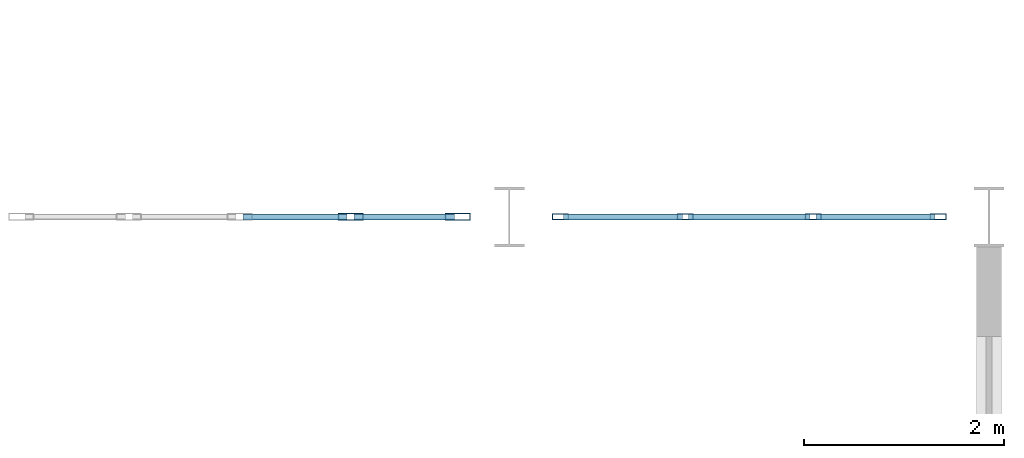
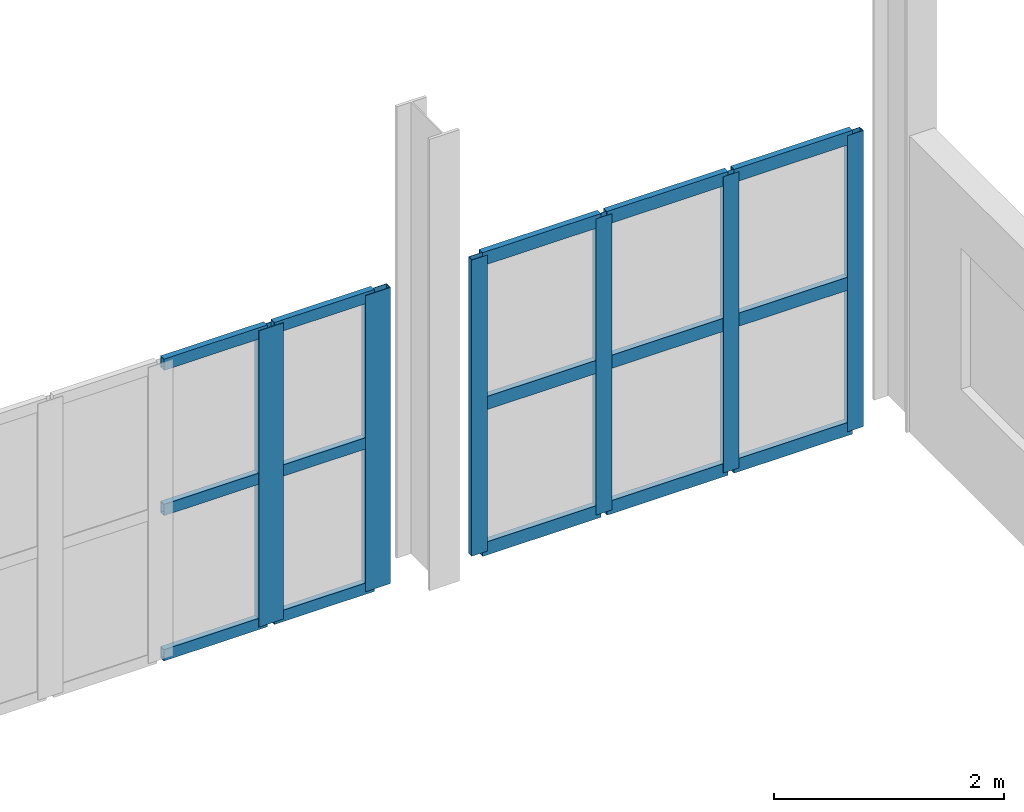
# One storey, part 27 of 41: 21 members, 2 elements without a shape of their own.
"""IFC4 building model written with IfcOpenShell, lengths in metres."""

from ifc_helpers import new_model, si_unit, direction, frame, origin, origin_2d, place, context, subcontext, project, spatial, hollow_rectangle, extrude, material, layer, layer_set, material_profile, profile_set, type_object, element, aggregate, save


model = new_model("IFC4")

# Units and contexts
model_context = context("Model", 3, precision=1e-05, world=origin(), true_north=direction((0.0, 1.0)))
body_context = subcontext(model_context, "Body", "Model", "MODEL_VIEW")
ifc_project = project(units=[si_unit("LENGTHUNIT", "METRE"), si_unit("AREAUNIT", "SQUARE_METRE"), si_unit("VOLUMEUNIT", "CUBIC_METRE"), si_unit("PLANEANGLEUNIT", "RADIAN"), si_unit("MASSUNIT", "GRAM", prefix="KILO")], contexts=[model_context])

# Site, building, storey
site_placement = place(None, origin())
site = spatial("IfcSite", under=ifc_project, at=site_placement, CompositionType="ELEMENT")
building_placement = place(site_placement, origin())
building = spatial("IfcBuilding", under=site, at=building_placement, Name="Solvadek Multi-Sports Hall", CompositionType="ELEMENT")
storey_placement = place(building_placement, frame((0.0, 0.0, 14.39990234375)))
storey = spatial("IfcBuildingStorey", under=building, at=storey_placement, Name="L03", CompositionType="ELEMENT", Elevation=14.39990234375)

# Curtain wall, members
ifc_material = material(Name="Anodised aluminium", Category="aluminium")
ifc_layer_1 = layer(ifc_material, 0.159912109375, Name="Anodised aluminium")
ifc_layer_set_1 = layer_set([ifc_layer_1], Name="Anodised aluminium")
curtain_wall_type_1 = type_object("IfcCurtainWallType", Name="ENV-CW-384X315", PredefinedType="USERDEFINED", material=ifc_layer_set_1)
curtain_wall_1_placement = place(storey_placement, origin())
curtain_wall_1 = element("IfcCurtainWall", 1, at=curtain_wall_1_placement, inside=storey, type_object=curtain_wall_type_1, Name="L03 Perimeter Bay Curtain Wall #143", ObjectType="CURTAIN WALL", PredefinedType="USERDEFINED")
ifc_material_profile_1 = material_profile(ifc_material, hollow_rectangle(XDim=0.06005859375, YDim=0.159912109375, WallThickness=0.00390625, at=origin_2d()), Name="ALU-M 160x60x4")
ifc_profile_set_1 = profile_set([ifc_material_profile_1], Name="Anodised aluminium")
member_type_1 = type_object("IfcMemberType", Name="ENV-CWM-01", PredefinedType="MULLION", material=ifc_profile_set_1)
member_1_placement = place(storey_placement, frame((157.110107421875, 70.800048828125, 0.0), z_axis=(0.0, 0.0, 1.0), x_axis=(0.0, 1.0, 0.0)))
member_1 = element("IfcMember", 2, at=member_1_placement, type_object=member_type_1, Name="CW-51 mullion 1", PredefinedType="MULLION", context=body_context, shape_type="SweptSolid", body=[
    extrude(hollow_rectangle(XDim=0.06005859375, YDim=0.159912109375, WallThickness=0.00390625, at=origin_2d()), origin(), (0.0, 0.0, 1.0), 3.150146484375),
])
member_2_placement = place(storey_placement, frame((158.360107421875, 70.800048828125, 0.0), z_axis=(0.0, 0.0, 1.0), x_axis=(0.0, 1.0, 0.0)))
member_2 = element("IfcMember", 3, at=member_2_placement, type_object=member_type_1, Name="CW-51 mullion 2", PredefinedType="MULLION", context=body_context, shape_type="SweptSolid", body=[
    extrude(hollow_rectangle(XDim=0.06005859375, YDim=0.159912109375, WallThickness=0.00390625, at=origin_2d()), origin(), (0.0, 0.0, 1.0), 3.150146484375),
])
member_3_placement = place(storey_placement, frame((159.639892578125, 70.800048828125, 0.0), z_axis=(0.0, 0.0, 1.0), x_axis=(0.0, 1.0, 0.0)))
member_3 = element("IfcMember", 4, at=member_3_placement, type_object=member_type_1, Name="CW-51 mullion 3", PredefinedType="MULLION", context=body_context, shape_type="SweptSolid", body=[
    extrude(hollow_rectangle(XDim=0.06005859375, YDim=0.159912109375, WallThickness=0.00390625, at=origin_2d()), origin(), (0.0, 0.0, 1.0), 3.150146484375),
])
member_4_placement = place(storey_placement, frame((160.889892578125, 70.800048828125, 0.0), z_axis=(0.0, 0.0, 1.0), x_axis=(0.0, 1.0, 0.0)))
member_4 = element("IfcMember", 5, at=member_4_placement, type_object=member_type_1, Name="CW-51 mullion 4", PredefinedType="MULLION", context=body_context, shape_type="SweptSolid", body=[
    extrude(hollow_rectangle(XDim=0.06005859375, YDim=0.159912109375, WallThickness=0.00390625, at=origin_2d()), origin(), (0.0, 0.0, 1.0), 3.150146484375),
])

ifc_layer_2 = layer(ifc_material, 0.159912109375, Name="Anodised aluminium")
ifc_layer_set_2 = layer_set([ifc_layer_2], Name="Anodised aluminium")
curtain_wall_type_2 = type_object("IfcCurtainWallType", Name="ENV-CW-444X315", PredefinedType="USERDEFINED", material=ifc_layer_set_2)
curtain_wall_2_placement = place(storey_placement, origin())
curtain_wall_2 = element("IfcCurtainWall", 6, at=curtain_wall_2_placement, inside=storey, type_object=curtain_wall_type_2, Name="L03 Perimeter Bay Curtain Wall #139", ObjectType="CURTAIN WALL", PredefinedType="USERDEFINED")
ifc_material_profile_2 = material_profile(ifc_material, hollow_rectangle(XDim=0.070068359375, YDim=0.25, WallThickness=0.0048828125, at=origin_2d()), Name="ALU-M 250x70x5")
ifc_profile_set_2 = profile_set([ifc_material_profile_2], Name="Anodised aluminium")
member_type_2 = type_object("IfcMemberType", Name="ENV-CWM-05", PredefinedType="MULLION", material=ifc_profile_set_2)
member_5_placement = place(storey_placement, frame((155.010009765625, 70.800048828125, 0.0), z_axis=(0.0, 0.0, 1.0), x_axis=(0.0, 1.0, 0.0)))
member_5 = element("IfcMember", 7, at=member_5_placement, type_object=member_type_2, Name="CW-47 mullion 4", PredefinedType="MULLION", context=body_context, shape_type="SweptSolid", body=[
    extrude(hollow_rectangle(XDim=0.070068359375, YDim=0.25, WallThickness=0.0048828125, at=origin_2d()), origin(), (0.0, 0.0, 1.0), 3.150146484375),
])
member_6_placement = place(storey_placement, frame((156.0849609375, 70.800048828125, 0.0), z_axis=(0.0, 0.0, 1.0), x_axis=(0.0, 1.0, 0.0)))
member_6 = element("IfcMember", 8, at=member_6_placement, type_object=member_type_2, Name="CW-47 mullion 5", PredefinedType="MULLION", context=body_context, shape_type="SweptSolid", body=[
    extrude(hollow_rectangle(XDim=0.070068359375, YDim=0.25, WallThickness=0.0048828125, at=origin_2d()), origin(), (0.0, 0.0, 1.0), 3.150146484375),
])
ifc_material_profile_3 = material_profile(ifc_material, hollow_rectangle(XDim=0.06005859375, YDim=0.1201171875, WallThickness=0.00390625, at=origin_2d()), Name="ALU-T 120x60x4")
ifc_profile_set_3 = profile_set([ifc_material_profile_3], Name="Anodised aluminium")
member_type_3 = type_object("IfcMemberType", Name="ENV-CWT-01", PredefinedType="USERDEFINED", material=ifc_profile_set_3)
member_7_placement = place(storey_placement, frame((153.93505859375, 70.800048828125, 0.030029296875), z_axis=(1.0, 0.0, 0.0), x_axis=(0.0, 1.0, 0.0)))
member_7 = element("IfcMember", 9, at=member_7_placement, type_object=member_type_3, Name="CW-47 transom 3.1", ObjectType="TRANSOM", PredefinedType="USERDEFINED", context=body_context, shape_type="SweptSolid", body=[
    extrude(hollow_rectangle(XDim=0.06005859375, YDim=0.1201171875, WallThickness=0.00390625, at=origin_2d()), origin(), (0.0, 0.0, 1.0), 1.0400390625),
])
member_8_placement = place(storey_placement, frame((153.93505859375, 70.800048828125, 1.5751953125), z_axis=(1.0, 0.0, 0.0), x_axis=(0.0, 1.0, 0.0)))
member_8 = element("IfcMember", 10, at=member_8_placement, type_object=member_type_3, Name="CW-47 transom 3.2", ObjectType="TRANSOM", PredefinedType="USERDEFINED", context=body_context, shape_type="SweptSolid", body=[
    extrude(hollow_rectangle(XDim=0.06005859375, YDim=0.1201171875, WallThickness=0.00390625, at=origin_2d()), origin(), (0.0, 0.0, 1.0), 1.0400390625),
])
member_9_placement = place(storey_placement, frame((153.93505859375, 70.800048828125, 3.1201171875), z_axis=(1.0, 0.0, 0.0), x_axis=(0.0, 1.0, 0.0)))
member_9 = element("IfcMember", 11, at=member_9_placement, type_object=member_type_3, Name="CW-47 transom 3.3", ObjectType="TRANSOM", PredefinedType="USERDEFINED", context=body_context, shape_type="SweptSolid", body=[
    extrude(hollow_rectangle(XDim=0.06005859375, YDim=0.1201171875, WallThickness=0.00390625, at=origin_2d()), origin(), (0.0, 0.0, 1.0), 1.0400390625),
])
member_10_placement = place(storey_placement, frame((155.044921875, 70.800048828125, 0.030029296875), z_axis=(1.0, 0.0, 0.0), x_axis=(0.0, 1.0, 0.0)))
member_10 = element("IfcMember", 12, at=member_10_placement, type_object=member_type_3, Name="CW-47 transom 4.1", ObjectType="TRANSOM", PredefinedType="USERDEFINED", context=body_context, shape_type="SweptSolid", body=[
    extrude(hollow_rectangle(XDim=0.06005859375, YDim=0.1201171875, WallThickness=0.00390625, at=origin_2d()), origin(), (0.0, 0.0, 1.0), 1.005126953125),
])
member_11_placement = place(storey_placement, frame((155.044921875, 70.800048828125, 1.5751953125), z_axis=(1.0, 0.0, 0.0), x_axis=(0.0, 1.0, 0.0)))
member_11 = element("IfcMember", 13, at=member_11_placement, type_object=member_type_3, Name="CW-47 transom 4.2", ObjectType="TRANSOM", PredefinedType="USERDEFINED", context=body_context, shape_type="SweptSolid", body=[
    extrude(hollow_rectangle(XDim=0.06005859375, YDim=0.1201171875, WallThickness=0.00390625, at=origin_2d()), origin(), (0.0, 0.0, 1.0), 1.005126953125),
])
member_12_placement = place(storey_placement, frame((155.044921875, 70.800048828125, 3.1201171875), z_axis=(1.0, 0.0, 0.0), x_axis=(0.0, 1.0, 0.0)))
member_12 = element("IfcMember", 14, at=member_12_placement, type_object=member_type_3, Name="CW-47 transom 4.3", ObjectType="TRANSOM", PredefinedType="USERDEFINED", context=body_context, shape_type="SweptSolid", body=[
    extrude(hollow_rectangle(XDim=0.06005859375, YDim=0.1201171875, WallThickness=0.00390625, at=origin_2d()), origin(), (0.0, 0.0, 1.0), 1.005126953125),
])
aggregate(curtain_wall_2, [member_5, member_6, member_7, member_8, member_9, member_10, member_11, member_12])

# Member
ifc_material_profile_4 = material_profile(ifc_material, hollow_rectangle(XDim=0.06005859375, YDim=0.139892578125, WallThickness=0.00390625, at=origin_2d()), Name="ALU-T 140x60x4")
ifc_profile_set_4 = profile_set([ifc_material_profile_4], Name="Anodised aluminium")
member_type_4 = type_object("IfcMemberType", Name="ENV-CWT-02", PredefinedType="USERDEFINED", material=ifc_profile_set_4)
member_13_placement = place(storey_placement, frame((157.139892578125, 70.800048828125, 0.030029296875), z_axis=(1.0, 0.0, 0.0), x_axis=(0.0, 1.0, 0.0)))
member_13 = element("IfcMember", 15, at=member_13_placement, type_object=member_type_4, Name="CW-51 transom 1.1", ObjectType="TRANSOM", PredefinedType="USERDEFINED", context=body_context, shape_type="SweptSolid", body=[
    extrude(hollow_rectangle(XDim=0.06005859375, YDim=0.139892578125, WallThickness=0.00390625, at=origin_2d()), origin(), (0.0, 0.0, 1.0), 1.190185546875),
])

member_14_placement = place(storey_placement, frame((157.139892578125, 70.800048828125, 1.5751953125), z_axis=(1.0, 0.0, 0.0), x_axis=(0.0, 1.0, 0.0)))
member_14 = element("IfcMember", 16, at=member_14_placement, type_object=member_type_4, Name="CW-51 transom 1.2", ObjectType="TRANSOM", PredefinedType="USERDEFINED", context=body_context, shape_type="SweptSolid", body=[
    extrude(hollow_rectangle(XDim=0.06005859375, YDim=0.139892578125, WallThickness=0.00390625, at=origin_2d()), origin(), (0.0, 0.0, 1.0), 1.190185546875),
])

member_15_placement = place(storey_placement, frame((157.139892578125, 70.800048828125, 3.1201171875), z_axis=(1.0, 0.0, 0.0), x_axis=(0.0, 1.0, 0.0)))
member_15 = element("IfcMember", 17, at=member_15_placement, type_object=member_type_4, Name="CW-51 transom 1.3", ObjectType="TRANSOM", PredefinedType="USERDEFINED", context=body_context, shape_type="SweptSolid", body=[
    extrude(hollow_rectangle(XDim=0.06005859375, YDim=0.139892578125, WallThickness=0.00390625, at=origin_2d()), origin(), (0.0, 0.0, 1.0), 1.190185546875),
])

member_16_placement = place(storey_placement, frame((158.389892578125, 70.800048828125, 0.030029296875), z_axis=(1.0, 0.0, 0.0), x_axis=(0.0, 1.0, 0.0)))
member_16 = element("IfcMember", 18, at=member_16_placement, type_object=member_type_4, Name="CW-51 transom 2.1", ObjectType="TRANSOM", PredefinedType="USERDEFINED", context=body_context, shape_type="SweptSolid", body=[
    extrude(hollow_rectangle(XDim=0.06005859375, YDim=0.139892578125, WallThickness=0.00390625, at=origin_2d()), origin(), (0.0, 0.0, 1.0), 1.22021484375),
])

member_17_placement = place(storey_placement, frame((158.389892578125, 70.800048828125, 1.5751953125), z_axis=(1.0, 0.0, 0.0), x_axis=(0.0, 1.0, 0.0)))
member_17 = element("IfcMember", 19, at=member_17_placement, type_object=member_type_4, Name="CW-51 transom 2.2", ObjectType="TRANSOM", PredefinedType="USERDEFINED", context=body_context, shape_type="SweptSolid", body=[
    extrude(hollow_rectangle(XDim=0.06005859375, YDim=0.139892578125, WallThickness=0.00390625, at=origin_2d()), origin(), (0.0, 0.0, 1.0), 1.22021484375),
])

member_18_placement = place(storey_placement, frame((158.389892578125, 70.800048828125, 3.1201171875), z_axis=(1.0, 0.0, 0.0), x_axis=(0.0, 1.0, 0.0)))
member_18 = element("IfcMember", 20, at=member_18_placement, type_object=member_type_4, Name="CW-51 transom 2.3", ObjectType="TRANSOM", PredefinedType="USERDEFINED", context=body_context, shape_type="SweptSolid", body=[
    extrude(hollow_rectangle(XDim=0.06005859375, YDim=0.139892578125, WallThickness=0.00390625, at=origin_2d()), origin(), (0.0, 0.0, 1.0), 1.22021484375),
])

member_19_placement = place(storey_placement, frame((159.669921875, 70.800048828125, 0.030029296875), z_axis=(1.0, 0.0, 0.0), x_axis=(0.0, 1.0, 0.0)))
member_19 = element("IfcMember", 21, at=member_19_placement, type_object=member_type_4, Name="CW-51 transom 3.1", ObjectType="TRANSOM", PredefinedType="USERDEFINED", context=body_context, shape_type="SweptSolid", body=[
    extrude(hollow_rectangle(XDim=0.06005859375, YDim=0.139892578125, WallThickness=0.00390625, at=origin_2d()), origin(), (0.0, 0.0, 1.0), 1.190185546875),
])

member_20_placement = place(storey_placement, frame((159.669921875, 70.800048828125, 1.5751953125), z_axis=(1.0, 0.0, 0.0), x_axis=(0.0, 1.0, 0.0)))
member_20 = element("IfcMember", 22, at=member_20_placement, type_object=member_type_4, Name="CW-51 transom 3.2", ObjectType="TRANSOM", PredefinedType="USERDEFINED", context=body_context, shape_type="SweptSolid", body=[
    extrude(hollow_rectangle(XDim=0.06005859375, YDim=0.139892578125, WallThickness=0.00390625, at=origin_2d()), origin(), (0.0, 0.0, 1.0), 1.190185546875),
])

member_21_placement = place(storey_placement, frame((159.669921875, 70.800048828125, 3.1201171875), z_axis=(1.0, 0.0, 0.0), x_axis=(0.0, 1.0, 0.0)))
member_21 = element("IfcMember", 23, at=member_21_placement, type_object=member_type_4, Name="CW-51 transom 3.3", ObjectType="TRANSOM", PredefinedType="USERDEFINED", context=body_context, shape_type="SweptSolid", body=[
    extrude(hollow_rectangle(XDim=0.06005859375, YDim=0.139892578125, WallThickness=0.00390625, at=origin_2d()), origin(), (0.0, 0.0, 1.0), 1.190185546875),
])

aggregate(curtain_wall_1, [member_1, member_2, member_3, member_4, member_13, member_14, member_15, member_16, member_17, member_18, member_19, member_20, member_21])

save(model, "model.ifc")
